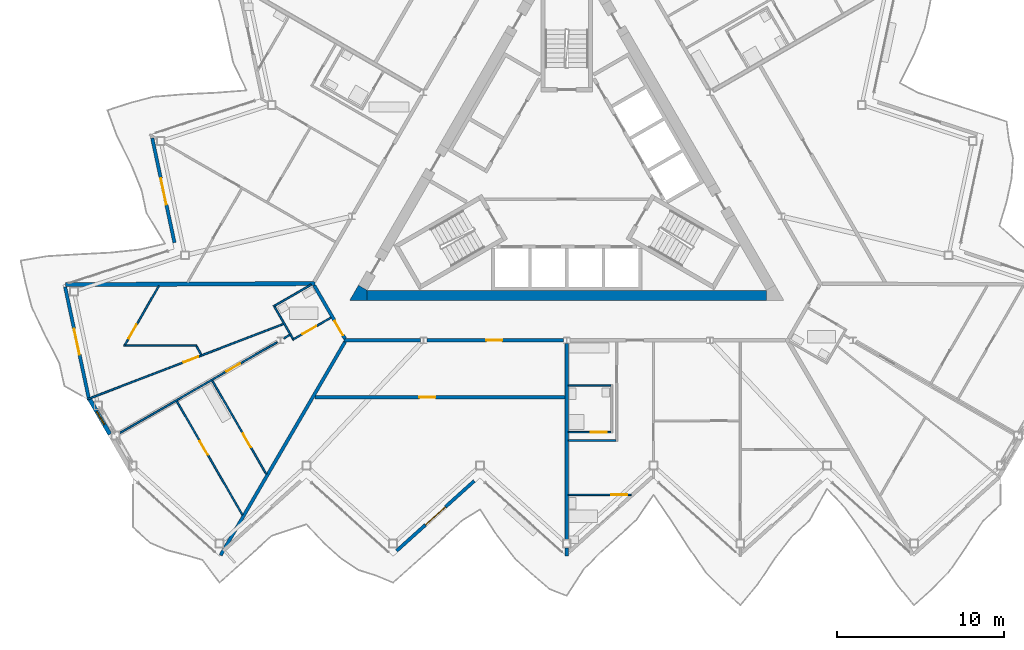
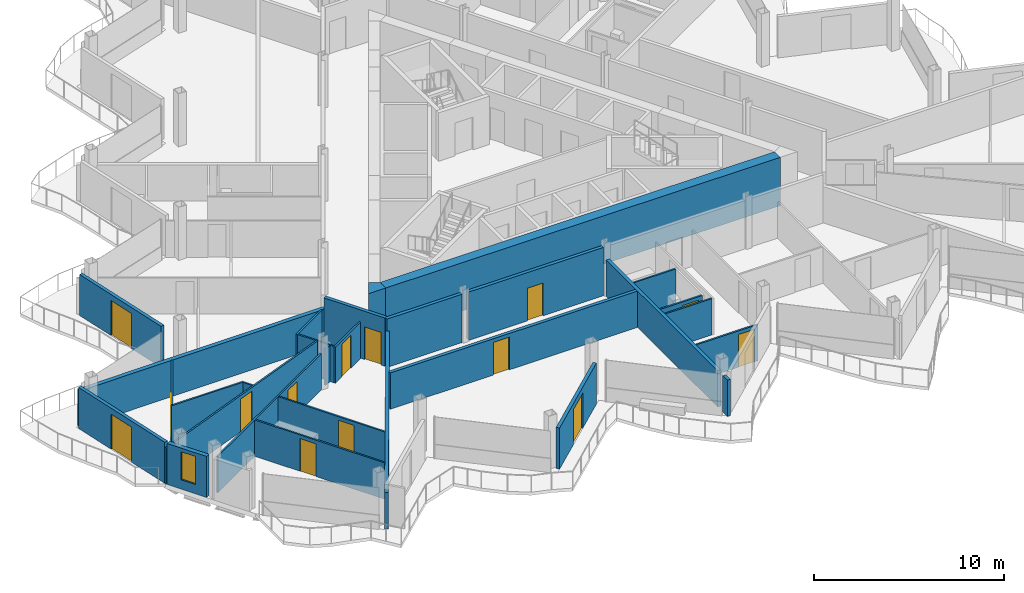
# One storey, part 12 of 26: 29 walls, 14 doors, 1 window, 15 openings.
"""IFC4 building model written with IfcOpenShell, lengths in metres."""

from ifc_helpers import new_model, si_unit, direction, frame, frame_2d, origin, place, context, subcontext, project, spatial, polyline, rectangle, outline, extrude, material, layer, layer_set, type_object, element, fill, save


model = new_model("IFC4")

# Units and contexts
model_context = context("Model", 3, precision=1e-05, world=origin(), true_north=direction((0.0, 1.0)))
body_context = subcontext(model_context, "Body", "Model", "MODEL_VIEW")
ifc_project = project(units=[si_unit("LENGTHUNIT", "METRE"), si_unit("AREAUNIT", "SQUARE_METRE"), si_unit("VOLUMEUNIT", "CUBIC_METRE"), si_unit("PLANEANGLEUNIT", "RADIAN"), si_unit("MASSUNIT", "GRAM", prefix="KILO")], contexts=[model_context])

# Site, building, storey
site_placement = place(None, origin())
site = spatial("IfcSite", under=ifc_project, at=site_placement, CompositionType="ELEMENT")
building_placement = place(site_placement, origin())
building = spatial("IfcBuilding", under=site, at=building_placement, Name="Cormorant Prow Tower", CompositionType="ELEMENT")
storey_placement = place(building_placement, frame((0.0, 0.0, 364.39990234375)))
storey = spatial("IfcBuildingStorey", under=building, at=storey_placement, Name="L81", CompositionType="ELEMENT", Elevation=364.39990234375)

# Walls
ifc_material_1 = material(Name="Concrete 8000 psi", Category="concrete")
ifc_layer_1 = layer(ifc_material_1, 0.60009765625)
ifc_layer_set_1 = layer_set([ifc_layer_1], Name="Concrete 8000 psi")
wall_type_1 = type_object("IfcWallType", Name="Core shear wall 600", PredefinedType="SHEAR", material=ifc_layer_set_1)
wall_1_placement = place(storey_placement, frame((-11.960693359375, -7.20556640625, 0.0), z_axis=(0.0, 0.0, 1.0), x_axis=(1.0, 0.0, 0.0)))
element("IfcWall", 1, at=wall_1_placement, inside=storey, type_object=wall_type_1, Name="Core wall", PredefinedType="SHEAR", context=body_context, shape_type="SweptSolid", body=[
    extrude(rectangle(XDim=23.92138671875, YDim=0.60009765625, at=frame_2d((11.960693359375, 0.0))), origin(), (0.0, 0.0, 1.0), 3.10009765625),
])
wall_2_placement = place(storey_placement, origin())
element("IfcWall", 2, at=wall_2_placement, inside=storey, type_object=wall_type_1, Name="Core wall corner", PredefinedType="SHEAR", context=body_context, shape_type="SweptSolid", body=[
    extrude(outline(polyline([(-12.48046875, -6.605712890625), (-11.960693359375, -6.905517578125), (-11.960693359375, -7.505615234375), (-13.0, -7.505615234375), (-12.48046875, -6.605712890625)])), origin(), (0.0, 0.0, 1.0), 3.10009765625),
])

# Wall, opening, door
ifc_material_2 = material(Name="Gypsum board corridor wall")
ifc_layer_2 = layer(ifc_material_2, 0.199951171875)
ifc_layer_set_2 = layer_set([ifc_layer_2], Name="Gypsum board corridor wall")
wall_type_2 = type_object("IfcWallType", Name="Corridor wall 200", PredefinedType="PARTITIONING", material=ifc_layer_set_2)
wall_3_placement = place(storey_placement, frame((-8.381591796875, -9.905517578125, 0.0), z_axis=(0.0, 0.0, 1.0), x_axis=(1.0, 0.0, 0.0)))
wall_3 = element("IfcWall", 3, at=wall_3_placement, inside=storey, type_object=wall_type_2, Name="Corridor wall", PredefinedType="PARTITIONING", context=body_context, shape_type="SweptSolid", body=[
    extrude(rectangle(XDim=8.1845703125, YDim=0.199951171875, at=frame_2d((4.09228515625, 0.0))), origin(), (0.0, 0.0, 1.0), 3.10009765625),
])
opening_1_placement = place(wall_3_placement, frame((3.56689453125, 0.0, 0.0)))
opening_1 = element("IfcOpeningElement", 4, at=opening_1_placement, cuts=wall_3, Name="Opening L81-F01", PredefinedType="OPENING", context=body_context, shape_type="SweptSolid", body=[
    extrude(rectangle(XDim=0.949951171875, YDim=2.10009765625, at=frame_2d((0.47509765625, 1.050048828125))), frame((0.0, 0.10986328125, 0.0), z_axis=(0.0, -1.0, 0.0), x_axis=(1.0, 0.0, 0.0)), (0.0, 0.0, 1.0), 0.219970703125),
])
ifc_material_3 = material(Name="Timber door leaf", Category="wood")
door_type_1 = type_object("IfcDoorType", Name="Store door 950x2100", OperationType="NOTDEFINED", PredefinedType="DOOR", material=ifc_material_3)
door_1_placement = place(opening_1_placement, origin())
door_1 = element("IfcDoor", 5, at=door_1_placement, inside=storey, type_object=door_type_1, Name="Refuse room door", OperationType="SINGLE_SWING_RIGHT", OverallHeight=2.10009765625, OverallWidth=0.949951171875, PredefinedType="DOOR", context=body_context, shape_type="SweptSolid", body=[
    extrude(rectangle(XDim=0.949951171875, YDim=2.10009765625, at=frame_2d((0.47509765625, 1.050048828125))), frame((0.0, 0.02490234375, 0.0), z_axis=(0.0, -1.0, 0.0), x_axis=(1.0, 0.0, 0.0)), (0.0, 0.0, 1.0), 0.050048828125),
])
fill(opening_1, door_1)

# Wall
wall_4_placement = place(storey_placement, frame((-13.330810546875, -9.905517578125, 0.0), z_axis=(0.0, 0.0, 1.0), x_axis=(1.0, 0.0, 0.0)))
element("IfcWall", 6, at=wall_4_placement, inside=storey, type_object=wall_type_2, Name="Corridor wall", PredefinedType="PARTITIONING", context=body_context, shape_type="SweptSolid", body=[
    extrude(rectangle(XDim=4.555419921875, YDim=0.199951171875, at=frame_2d((2.27783203125, 0.0))), origin(), (0.0, 0.0, 1.0), 3.10009765625),
])

# Wall, opening, door
wall_5_placement = place(storey_placement, frame((-15.13134765625, -6.61376953125, 0.0), z_axis=(0.0, 0.0, 1.0), x_axis=(0.499948957823, -0.866054870994, 0.0)))
wall_5 = element("IfcWall", 7, at=wall_5_placement, inside=storey, type_object=wall_type_2, Name="Corridor wall", PredefinedType="PARTITIONING", context=body_context, shape_type="SweptSolid", body=[
    extrude(rectangle(XDim=3.701171875, YDim=0.199951171875, at=frame_2d((1.8505859375, 0.0))), origin(), (0.0, 0.0, 1.0), 3.10009765625),
])
opening_2_placement = place(wall_5_placement, frame((2.450927734375, 0.0, 0.0)))
opening_2 = element("IfcOpeningElement", 8, at=opening_2_placement, cuts=wall_5, Name="Opening L81-F45", PredefinedType="OPENING", context=body_context, shape_type="SweptSolid", body=[
    extrude(rectangle(XDim=1.0, YDim=2.10009765625, at=frame_2d((0.5, 1.050048828125))), frame((0.0, 0.10986328125, 0.0), z_axis=(0.0, -1.0, 0.0), x_axis=(1.0, 0.0, 0.0)), (0.0, 0.0, 1.0), 0.219970703125),
])
ifc_material_4 = material(Name="Timber door leaf", Category="wood")
door_type_2 = type_object("IfcDoorType", Name="Flat or room entrance door 1000x2100", OperationType="NOTDEFINED", PredefinedType="DOOR", material=ifc_material_4)
door_2_placement = place(opening_2_placement, origin())
door_2 = element("IfcDoor", 9, at=door_2_placement, inside=storey, type_object=door_type_2, Name="Living room door", OperationType="SINGLE_SWING_RIGHT", OverallHeight=2.10009765625, OverallWidth=1.0, PredefinedType="DOOR", context=body_context, shape_type="SweptSolid", body=[
    extrude(rectangle(XDim=1.0, YDim=2.10009765625, at=frame_2d((0.5, 1.050048828125))), frame((0.0, 0.02490234375, 0.0), z_axis=(0.0, -1.0, 0.0), x_axis=(1.0, 0.0, 0.0)), (0.0, 0.0, 1.0), 0.050048828125),
])
fill(opening_2, door_2)

ifc_material_5 = material(Name="Gypsum board demising wall")
ifc_layer_3 = layer(ifc_material_5, 0.199951171875)
ifc_layer_set_3 = layer_set([ifc_layer_3], Name="Gypsum board demising wall")
wall_type_3 = type_object("IfcWallType", Name="Demising wall 200", PredefinedType="PARTITIONING", material=ifc_layer_set_3)
wall_6_placement = place(storey_placement, frame((-15.093994140625, -13.3056640625, 0.0), z_axis=(0.0, 0.0, 1.0), x_axis=(1.0, 0.0, 0.0)))
wall_6 = element("IfcWall", 10, at=wall_6_placement, inside=storey, type_object=wall_type_3, Name="Demising wall", PredefinedType="PARTITIONING", context=body_context, shape_type="SweptSolid", body=[
    extrude(rectangle(XDim=14.993896484375, YDim=0.199951171875, at=frame_2d((7.4970703125, 0.0))), origin(), (0.0, 0.0, 1.0), 2.330078125),
])
opening_3_placement = place(wall_6_placement, frame((6.26953125, 0.0, 0.0)))
opening_3 = element("IfcOpeningElement", 11, at=opening_3_placement, cuts=wall_6, Name="Opening L81-F02", PredefinedType="OPENING", context=body_context, shape_type="SweptSolid", body=[
    extrude(rectangle(XDim=0.949951171875, YDim=2.10009765625, at=frame_2d((0.47509765625, 1.050048828125))), frame((0.0, 0.10986328125, 0.0), z_axis=(0.0, -1.0, 0.0), x_axis=(1.0, 0.0, 0.0)), (0.0, 0.0, 1.0), 0.219970703125),
])
door_3_placement = place(opening_3_placement, origin())
door_3 = element("IfcDoor", 12, at=door_3_placement, inside=storey, type_object=door_type_1, Name="Bicycle store door", OperationType="SINGLE_SWING_RIGHT", OverallHeight=2.10009765625, OverallWidth=0.949951171875, PredefinedType="DOOR", context=body_context, shape_type="SweptSolid", body=[
    extrude(rectangle(XDim=0.949951171875, YDim=2.10009765625, at=frame_2d((0.47509765625, 1.050048828125))), frame((0.0, 0.02490234375, 0.0), z_axis=(0.0, -1.0, 0.0), x_axis=(1.0, 0.0, 0.0)), (0.0, 0.0, 1.0), 0.050048828125),
])
fill(opening_3, door_3)

# Walls
wall_7_placement = place(storey_placement, frame((-20.738525390625, -22.7841796875, 0.0), z_axis=(0.0, 0.0, 1.0), x_axis=(0.50362599185, 0.863921790635, 0.0)))
element("IfcWall", 13, at=wall_7_placement, inside=storey, type_object=wall_type_3, Name="Demising wall", PredefinedType="PARTITIONING", context=body_context, shape_type="SweptSolid", body=[
    extrude(rectangle(XDim=14.80712890625, YDim=0.199951171875, at=frame_2d((7.403564453125, 0.0))), origin(), (0.0, 0.0, 1.0), 2.330078125),
])
wall_8_placement = place(storey_placement, frame((0.0, -21.827880859375, 0.0), z_axis=(0.0, 0.0, 1.0), x_axis=(0.0, 1.0, 0.0)))
element("IfcWall", 14, at=wall_8_placement, inside=storey, type_object=wall_type_3, Name="Demising wall", PredefinedType="PARTITIONING", context=body_context, shape_type="SweptSolid", body=[
    extrude(rectangle(XDim=11.725341796875, YDim=0.199951171875, at=frame_2d((5.86279296875, 0.0))), origin(), (0.0, 0.0, 1.0), 2.330078125),
])
wall_9_placement = place(storey_placement, frame((0.0, -22.83935546875, 0.0), z_axis=(0.0, 0.0, 1.0), x_axis=(0.0, 1.0, 0.0)))
element("IfcWall", 15, at=wall_9_placement, inside=storey, type_object=wall_type_3, Name="Demising wall", PredefinedType="PARTITIONING", context=body_context, shape_type="SweptSolid", body=[
    extrude(rectangle(XDim=0.491455078125, YDim=0.199951171875, at=frame_2d((0.24560546875, 0.0))), origin(), (0.0, 0.0, 1.0), 2.330078125),
])

# Wall, opening, door
ifc_material_6 = material(Name="Gypsum board partition")
ifc_layer_4 = layer(ifc_material_6, 0.10009765625)
ifc_layer_set_4 = layer_set([ifc_layer_4], Name="Gypsum board partition")
wall_type_4 = type_object("IfcWallType", Name="Internal partition 100", PredefinedType="PARTITIONING", material=ifc_layer_set_4)
wall_10_placement = place(storey_placement, frame((-28.724609375, -13.43798828125, 0.0), z_axis=(0.0, 0.0, 1.0), x_axis=(0.933580312145, 0.358368247444, 0.0)))
wall_10 = element("IfcWall", 16, at=wall_10_placement, inside=storey, type_object=wall_type_4, Name="Internal partition", PredefinedType="PARTITIONING", context=body_context, shape_type="SweptSolid", body=[
    extrude(rectangle(XDim=12.589599609375, YDim=0.10009765625, at=frame_2d((6.294921875, 0.0))), origin(), (0.0, 0.0, 1.0), 2.330078125),
])
opening_4_placement = place(wall_10_placement, frame((6.171142578125, 0.0, 0.0)))
opening_4 = element("IfcOpeningElement", 17, at=opening_4_placement, cuts=wall_10, Name="Opening L81-F50", PredefinedType="OPENING", context=body_context, shape_type="SweptSolid", body=[
    extrude(rectangle(XDim=0.949951171875, YDim=2.10009765625, at=frame_2d((0.47509765625, 1.050048828125))), frame((0.0, 0.06005859375, 0.0), z_axis=(0.0, -1.0, 0.0), x_axis=(1.0, 0.0, 0.0)), (0.0, 0.0, 1.0), 0.1201171875),
])
ifc_material_7 = material(Name="Timber door leaf", Category="wood")
door_type_3 = type_object("IfcDoorType", Name="Bathroom door 950x2100", OperationType="NOTDEFINED", PredefinedType="DOOR", material=ifc_material_7)
door_4_placement = place(opening_4_placement, origin())
door_4 = element("IfcDoor", 18, at=door_4_placement, inside=storey, type_object=door_type_3, Name="Bedroom door", OperationType="SINGLE_SWING_RIGHT", OverallHeight=2.10009765625, OverallWidth=0.949951171875, PredefinedType="DOOR", context=body_context, shape_type="SweptSolid", body=[
    extrude(rectangle(XDim=0.949951171875, YDim=2.10009765625, at=frame_2d((0.47509765625, 1.050048828125))), frame((0.0, 0.02490234375, 0.0), z_axis=(0.0, -1.0, 0.0), x_axis=(1.0, 0.0, 0.0)), (0.0, 0.0, 1.0), 0.050048828125),
])
fill(opening_4, door_4)

wall_11_placement = place(storey_placement, frame((-26.77685546875, -15.459716796875, 0.0), z_axis=(0.0, 0.0, 1.0), x_axis=(0.866019680922, 0.500009912158, 0.0)))
wall_11 = element("IfcWall", 19, at=wall_11_placement, inside=storey, type_object=wall_type_4, Name="Internal partition", PredefinedType="PARTITIONING", context=body_context, shape_type="SweptSolid", body=[
    extrude(rectangle(XDim=10.880615234375, YDim=0.10009765625, at=frame_2d((5.4404296875, 0.0))), origin(), (0.0, 0.0, 1.0), 2.330078125),
])
opening_5_placement = place(wall_11_placement, frame((7.373291015625, 0.0, 0.0)))
opening_5 = element("IfcOpeningElement", 20, at=opening_5_placement, cuts=wall_11, Name="Opening L81-F49", PredefinedType="OPENING", context=body_context, shape_type="SweptSolid", body=[
    extrude(rectangle(XDim=0.949951171875, YDim=2.10009765625, at=frame_2d((0.47509765625, 1.050048828125))), frame((0.0, 0.06005859375, 0.0), z_axis=(0.0, -1.0, 0.0), x_axis=(1.0, 0.0, 0.0)), (0.0, 0.0, 1.0), 0.1201171875),
])
door_5_placement = place(opening_5_placement, origin())
door_5 = element("IfcDoor", 21, at=door_5_placement, inside=storey, type_object=door_type_3, Name="Living room door", OperationType="SINGLE_SWING_LEFT", OverallHeight=2.10009765625, OverallWidth=0.949951171875, PredefinedType="DOOR", context=body_context, shape_type="SweptSolid", body=[
    extrude(rectangle(XDim=0.949951171875, YDim=2.10009765625, at=frame_2d((0.47509765625, 1.050048828125))), frame((0.0, 0.02490234375, 0.0), z_axis=(0.0, -1.0, 0.0), x_axis=(1.0, 0.0, 0.0)), (0.0, 0.0, 1.0), 0.050048828125),
])
fill(opening_5, door_5)

wall_12_placement = place(storey_placement, frame((-23.365234375, -13.547607421875, 0.0), z_axis=(0.0, 0.0, 1.0), x_axis=(0.500011483804, -0.866018773506, 0.0)))
wall_12 = element("IfcWall", 22, at=wall_12_placement, inside=storey, type_object=wall_type_4, Name="Internal partition", PredefinedType="PARTITIONING", context=body_context, shape_type="SweptSolid", body=[
    extrude(rectangle(XDim=7.872314453125, YDim=0.10009765625, at=frame_2d((3.93603515625, 0.0))), origin(), (0.0, 0.0, 1.0), 2.330078125),
])
opening_6_placement = place(wall_12_placement, frame((2.7587890625, 0.0, 0.0)))
opening_6 = element("IfcOpeningElement", 23, at=opening_6_placement, cuts=wall_12, Name="Opening L81-F48", PredefinedType="OPENING", context=body_context, shape_type="SweptSolid", body=[
    extrude(rectangle(XDim=0.949951171875, YDim=2.10009765625, at=frame_2d((0.47509765625, 1.050048828125))), frame((0.0, 0.06005859375, 0.0), z_axis=(0.0, -1.0, 0.0), x_axis=(1.0, 0.0, 0.0)), (0.0, 0.0, 1.0), 0.1201171875),
])
door_6_placement = place(opening_6_placement, origin())
door_6 = element("IfcDoor", 24, at=door_6_placement, inside=storey, type_object=door_type_3, Name="Kitchen door", OperationType="SINGLE_SWING_LEFT", OverallHeight=2.10009765625, OverallWidth=0.949951171875, PredefinedType="DOOR", context=body_context, shape_type="SweptSolid", body=[
    extrude(rectangle(XDim=0.949951171875, YDim=2.10009765625, at=frame_2d((0.47509765625, 1.050048828125))), frame((0.0, 0.02490234375, 0.0), z_axis=(0.0, -1.0, 0.0), x_axis=(1.0, 0.0, 0.0)), (0.0, 0.0, 1.0), 0.050048828125),
])
fill(opening_6, door_6)

wall_13_placement = place(storey_placement, frame((-21.2353515625, -12.318115234375, 0.0), z_axis=(0.0, 0.0, 1.0), x_axis=(0.500008973052, -0.866020223129, 0.0)))
wall_13 = element("IfcWall", 25, at=wall_13_placement, inside=storey, type_object=wall_type_4, Name="Internal partition", PredefinedType="PARTITIONING", context=body_context, shape_type="SweptSolid", body=[
    extrude(rectangle(XDim=6.46630859375, YDim=0.10009765625, at=frame_2d((3.233154296875, 0.0))), origin(), (0.0, 0.0, 1.0), 2.330078125),
])
opening_7_placement = place(wall_13_placement, frame((3.6611328125, 0.0, 0.0)))
opening_7 = element("IfcOpeningElement", 26, at=opening_7_placement, cuts=wall_13, Name="Opening L81-F47", PredefinedType="OPENING", context=body_context, shape_type="SweptSolid", body=[
    extrude(rectangle(XDim=0.949951171875, YDim=2.10009765625, at=frame_2d((0.47509765625, 1.050048828125))), frame((0.0, 0.06005859375, 0.0), z_axis=(0.0, -1.0, 0.0), x_axis=(1.0, 0.0, 0.0)), (0.0, 0.0, 1.0), 0.1201171875),
])
door_7_placement = place(opening_7_placement, origin())
door_7 = element("IfcDoor", 27, at=door_7_placement, inside=storey, type_object=door_type_3, Name="Living room door", OperationType="SINGLE_SWING_RIGHT", OverallHeight=2.10009765625, OverallWidth=0.949951171875, PredefinedType="DOOR", context=body_context, shape_type="SweptSolid", body=[
    extrude(rectangle(XDim=0.949951171875, YDim=2.10009765625, at=frame_2d((0.47509765625, 1.050048828125))), frame((0.0, 0.02490234375, 0.0), z_axis=(0.0, -1.0, 0.0), x_axis=(1.0, 0.0, 0.0)), (0.0, 0.0, 1.0), 0.050048828125),
])
fill(opening_7, door_7)

# Wall
wall_14_placement = place(storey_placement, frame((-26.548583984375, -10.2216796875, 0.0), z_axis=(0.0, 0.0, 1.0), x_axis=(1.0, 0.0, 0.0)))
element("IfcWall", 28, at=wall_14_placement, inside=storey, type_object=wall_type_4, Name="Internal partition", PredefinedType="PARTITIONING", context=body_context, shape_type="SweptSolid", body=[
    extrude(rectangle(XDim=4.390869140625, YDim=0.10009765625, at=frame_2d((2.1953125, 0.0))), origin(), (0.0, 0.0, 1.0), 2.330078125),
])

# Wall, opening, door
wall_15_placement = place(storey_placement, frame((-26.4736328125, -10.17822265625, 0.0), z_axis=(0.0, 0.0, 1.0), x_axis=(0.499995835917, 0.866027807905, 0.0)))
wall_15 = element("IfcWall", 29, at=wall_15_placement, inside=storey, type_object=wall_type_4, Name="Internal partition", PredefinedType="PARTITIONING", context=body_context, shape_type="SweptSolid", body=[
    extrude(rectangle(XDim=4.0712890625, YDim=0.10009765625, at=frame_2d((2.03564453125, 0.0))), origin(), (0.0, 0.0, 1.0), 2.330078125),
])
opening_8_placement = place(wall_15_placement, frame((0.45166015625, 0.0, 0.0)))
opening_8 = element("IfcOpeningElement", 30, at=opening_8_placement, cuts=wall_15, Name="Opening L81-F51", PredefinedType="OPENING", context=body_context, shape_type="SweptSolid", body=[
    extrude(rectangle(XDim=0.949951171875, YDim=2.10009765625, at=frame_2d((0.47509765625, 1.050048828125))), frame((0.0, 0.06005859375, 0.0), z_axis=(0.0, -1.0, 0.0), x_axis=(1.0, 0.0, 0.0)), (0.0, 0.0, 1.0), 0.1201171875),
])
door_8_placement = place(opening_8_placement, origin())
door_8 = element("IfcDoor", 31, at=door_8_placement, inside=storey, type_object=door_type_3, Name="Bedroom door", OperationType="SINGLE_SWING_LEFT", OverallHeight=2.10009765625, OverallWidth=0.949951171875, PredefinedType="DOOR", context=body_context, shape_type="SweptSolid", body=[
    extrude(rectangle(XDim=0.949951171875, YDim=2.10009765625, at=frame_2d((0.47509765625, 1.050048828125))), frame((0.0, 0.02490234375, 0.0), z_axis=(0.0, -1.0, 0.0), x_axis=(1.0, 0.0, 0.0)), (0.0, 0.0, 1.0), 0.050048828125),
])
fill(opening_8, door_8)

wall_16_placement = place(storey_placement, frame((0.10009765625, -19.164306640625, 0.0), z_axis=(0.0, 0.0, 1.0), x_axis=(1.0, 0.0, 0.0)))
wall_16 = element("IfcWall", 32, at=wall_16_placement, inside=storey, type_object=wall_type_4, Name="Internal partition", PredefinedType="PARTITIONING", context=body_context, shape_type="SweptSolid", body=[
    extrude(rectangle(XDim=3.75146484375, YDim=0.10009765625, at=frame_2d((1.875732421875, 0.0))), origin(), (0.0, 0.0, 1.0), 2.330078125),
])
opening_9_placement = place(wall_16_placement, frame((2.5791015625, 0.0, 0.0)))
opening_9 = element("IfcOpeningElement", 33, at=opening_9_placement, cuts=wall_16, Name="Opening L81-F04", PredefinedType="OPENING", context=body_context, shape_type="SweptSolid", body=[
    extrude(rectangle(XDim=0.949951171875, YDim=2.10009765625, at=frame_2d((0.47509765625, 1.050048828125))), frame((0.0, 0.06005859375, 0.0), z_axis=(0.0, -1.0, 0.0), x_axis=(1.0, 0.0, 0.0)), (0.0, 0.0, 1.0), 0.1201171875),
])
door_9_placement = place(opening_9_placement, origin())
door_9 = element("IfcDoor", 34, at=door_9_placement, inside=storey, type_object=door_type_3, Name="Living room door", OperationType="SINGLE_SWING_RIGHT", OverallHeight=2.10009765625, OverallWidth=0.949951171875, PredefinedType="DOOR", context=body_context, shape_type="SweptSolid", body=[
    extrude(rectangle(XDim=0.949951171875, YDim=2.10009765625, at=frame_2d((0.47509765625, 1.050048828125))), frame((0.0, 0.02490234375, 0.0), z_axis=(0.0, -1.0, 0.0), x_axis=(1.0, 0.0, 0.0)), (0.0, 0.0, 1.0), 0.050048828125),
])
fill(opening_9, door_9)

# Walls
wall_17_placement = place(storey_placement, frame((0.10009765625, -15.905517578125, 0.0), z_axis=(0.0, 0.0, 1.0), x_axis=(1.0, 0.0, 0.0)))
element("IfcWall", 35, at=wall_17_placement, inside=storey, type_object=wall_type_4, Name="Internal partition", PredefinedType="PARTITIONING", context=body_context, shape_type="SweptSolid", body=[
    extrude(rectangle(XDim=2.849853515625, YDim=0.10009765625, at=frame_2d((1.4248046875, 0.0))), origin(), (0.0, 0.0, 1.0), 2.330078125),
])
wall_18_placement = place(storey_placement, frame((0.10009765625, -12.605712890625, 0.0), z_axis=(0.0, 0.0, 1.0), x_axis=(1.0, 0.0, 0.0)))
element("IfcWall", 36, at=wall_18_placement, inside=storey, type_object=wall_type_4, Name="Internal partition", PredefinedType="PARTITIONING", context=body_context, shape_type="SweptSolid", body=[
    extrude(rectangle(XDim=2.5498046875, YDim=0.10009765625, at=frame_2d((1.27490234375, 0.0))), origin(), (0.0, 0.0, 1.0), 2.330078125),
])

# Wall, opening, door
wall_19_placement = place(storey_placement, frame((0.10009765625, -15.405517578125, 0.0), z_axis=(0.0, 0.0, 1.0), x_axis=(1.0, 0.0, 0.0)))
wall_19 = element("IfcWall", 37, at=wall_19_placement, inside=storey, type_object=wall_type_4, Name="Internal partition", PredefinedType="PARTITIONING", context=body_context, shape_type="SweptSolid", body=[
    extrude(rectangle(XDim=2.5498046875, YDim=0.10009765625, at=frame_2d((1.27490234375, 0.0))), origin(), (0.0, 0.0, 1.0), 2.330078125),
])
opening_10_placement = place(wall_19_placement, frame((1.35009765625, 0.0, 0.0)))
opening_10 = element("IfcOpeningElement", 38, at=opening_10_placement, cuts=wall_19, Name="Opening L81-F10", PredefinedType="OPENING", context=body_context, shape_type="SweptSolid", body=[
    extrude(rectangle(XDim=0.949951171875, YDim=2.10009765625, at=frame_2d((0.47509765625, 1.050048828125))), frame((0.0, 0.06005859375, 0.0), z_axis=(0.0, -1.0, 0.0), x_axis=(1.0, 0.0, 0.0)), (0.0, 0.0, 1.0), 0.1201171875),
])
door_10_placement = place(opening_10_placement, origin())
door_10 = element("IfcDoor", 39, at=door_10_placement, inside=storey, type_object=door_type_3, Name="Kitchen door", OperationType="SINGLE_SWING_RIGHT", OverallHeight=2.10009765625, OverallWidth=0.949951171875, PredefinedType="DOOR", context=body_context, shape_type="SweptSolid", body=[
    extrude(rectangle(XDim=0.949951171875, YDim=2.10009765625, at=frame_2d((0.47509765625, 1.050048828125))), frame((0.0, 0.02490234375, 0.0), z_axis=(0.0, -1.0, 0.0), x_axis=(1.0, 0.0, 0.0)), (0.0, 0.0, 1.0), 0.050048828125),
])
fill(opening_10, door_10)

# Wall
wall_20_placement = place(storey_placement, frame((-17.575439453125, -7.880615234375, 0.0), z_axis=(0.0, 0.0, 1.0), x_axis=(0.866013657776, 0.500020344131, 0.0)))
element("IfcWall", 40, at=wall_20_placement, inside=storey, type_object=wall_type_4, Name="Internal partition", PredefinedType="PARTITIONING", context=body_context, shape_type="SweptSolid", body=[
    extrude(rectangle(XDim=2.625, YDim=0.10009765625, at=frame_2d((1.3125, 0.0))), origin(), (0.0, 0.0, 1.0), 2.330078125),
])

# Wall, opening, door
wall_21_placement = place(storey_placement, frame((-16.425537109375, -9.872314453125, 0.0), z_axis=(0.0, 0.0, 1.0), x_axis=(0.866029095148, 0.499993606316, 0.0)))
wall_21 = element("IfcWall", 41, at=wall_21_placement, inside=storey, type_object=wall_type_4, Name="Internal partition", PredefinedType="PARTITIONING", context=body_context, shape_type="SweptSolid", body=[
    extrude(rectangle(XDim=2.64990234375, YDim=0.10009765625, at=frame_2d((1.324951171875, 0.0))), origin(), (0.0, 0.0, 1.0), 2.330078125),
])
opening_11_placement = place(wall_21_placement, frame((0.686279296875, 0.0, 0.0)))
opening_11 = element("IfcOpeningElement", 42, at=opening_11_placement, cuts=wall_21, Name="Opening L81-F46", PredefinedType="OPENING", context=body_context, shape_type="SweptSolid", body=[
    extrude(rectangle(XDim=0.949951171875, YDim=2.10009765625, at=frame_2d((0.47509765625, 1.050048828125))), frame((0.0, 0.06005859375, 0.0), z_axis=(0.0, -1.0, 0.0), x_axis=(1.0, 0.0, 0.0)), (0.0, 0.0, 1.0), 0.1201171875),
])
door_11_placement = place(opening_11_placement, origin())
door_11 = element("IfcDoor", 43, at=door_11_placement, inside=storey, type_object=door_type_3, Name="Living room door", OperationType="SINGLE_SWING_LEFT", OverallHeight=2.10009765625, OverallWidth=0.949951171875, PredefinedType="DOOR", context=body_context, shape_type="SweptSolid", body=[
    extrude(rectangle(XDim=0.949951171875, YDim=2.10009765625, at=frame_2d((0.47509765625, 1.050048828125))), frame((0.0, 0.02490234375, 0.0), z_axis=(0.0, -1.0, 0.0), x_axis=(1.0, 0.0, 0.0)), (0.0, 0.0, 1.0), 0.050048828125),
])
fill(opening_11, door_11)

# Walls
wall_22_placement = place(storey_placement, frame((-17.507080078125, -7.89892578125, 0.0), z_axis=(0.0, 0.0, 1.0), x_axis=(0.499946605688, -0.86605622881, 0.0)))
element("IfcWall", 44, at=wall_22_placement, inside=storey, type_object=wall_type_4, Name="Internal partition", PredefinedType="PARTITIONING", context=body_context, shape_type="SweptSolid", body=[
    extrude(rectangle(XDim=2.199951171875, YDim=0.10009765625, at=frame_2d((1.10009765625, 0.0))), origin(), (0.0, 0.0, 1.0), 2.330078125),
])
wall_23_placement = place(storey_placement, frame((-22.182861328125, -10.264892578125, 0.0), z_axis=(0.0, 0.0, 1.0), x_axis=(0.500016142392, -0.86601608377, 0.0)))
element("IfcWall", 45, at=wall_23_placement, inside=storey, type_object=wall_type_4, Name="Internal partition", PredefinedType="PARTITIONING", context=body_context, shape_type="SweptSolid", body=[
    extrude(rectangle(XDim=0.57568359375, YDim=0.10009765625, at=frame_2d((0.287841796875, 0.0))), origin(), (0.0, 0.0, 1.0), 2.330078125),
])
wall_24_placement = place(storey_placement, frame((-16.9599609375, -9.791748046875, 0.0), z_axis=(0.0, 0.0, 1.0), x_axis=(0.866137484628, 0.499805820016, 0.0)))
element("IfcWall", 46, at=wall_24_placement, inside=storey, type_object=wall_type_4, Name="Internal partition", PredefinedType="PARTITIONING", context=body_context, shape_type="SweptSolid", body=[
    extrude(rectangle(XDim=0.422607421875, YDim=0.10009765625, at=frame_2d((0.21142578125, 0.0))), origin(), (0.0, 0.0, 1.0), 2.330078125),
])
ifc_material_8 = material(Name="Acoustic gypsum party wall")
ifc_layer_5 = layer(ifc_material_8, 0.25)
ifc_layer_set_5 = layer_set([ifc_layer_5], Name="Acoustic gypsum party wall")
wall_type_5 = type_object("IfcWallType", Name="Suite party wall 250", PredefinedType="PARTITIONING", material=ifc_layer_set_5)
wall_25_placement = place(storey_placement, frame((-30.041259765625, -6.56787109375, 0.0), z_axis=(0.0, 0.0, 1.0), x_axis=(0.999991150877, 0.004206918925, 0.0)))
element("IfcWall", 47, at=wall_25_placement, inside=storey, type_object=wall_type_5, Name="Suite party wall", PredefinedType="PARTITIONING", context=body_context, shape_type="SweptSolid", body=[
    extrude(rectangle(XDim=14.97265625, YDim=0.25, at=frame_2d((7.486328125, 0.0))), origin(), (0.0, 0.0, 1.0), 2.330078125),
])

# Wall, opening, window
ifc_material_9 = material(Name="Terracotta", Category="masonry")
ifc_layer_6 = layer(ifc_material_9, 0.25)
ifc_layer_set_6 = layer_set([ifc_layer_6], Name="Terracotta")
wall_type_6 = type_object("IfcWallType", Name="Terracotta bay wall 250", PredefinedType="SOLIDWALL", material=ifc_layer_set_6)
wall_26_placement = place(storey_placement, frame((-28.5732421875, -13.4501953125, 0.0), z_axis=(0.0, 0.0, 1.0), x_axis=(0.499969057507, -0.866043267704, 0.0)))
wall_26 = element("IfcWall", 48, at=wall_26_placement, inside=storey, type_object=wall_type_6, Name="Terracotta bay wall WSW00", PredefinedType="SOLIDWALL", context=body_context, shape_type="SweptSolid", body=[
    extrude(rectangle(XDim=2.399658203125, YDim=0.25, at=frame_2d((1.19970703125, 0.0))), origin(), (0.0, 0.0, 1.0), 2.634033203125),
])
opening_12_placement = place(wall_26_placement, frame((0.829833984375, 0.0, 0.60009765625)))
opening_12 = element("IfcOpeningElement", 49, at=opening_12_placement, cuts=wall_26, Name="Opening WN9", PredefinedType="OPENING", context=body_context, shape_type="SweptSolid", body=[
    extrude(rectangle(XDim=0.89990234375, YDim=1.800048828125, at=frame_2d((0.449951171875, 0.89990234375))), frame((0.0, 0.135009765625, 0.0), z_axis=(0.0, -1.0, 0.0), x_axis=(1.0, 0.0, 0.0)), (0.0, 0.0, 1.0), 0.27001953125),
])
ifc_material_10 = material(Name="Aluminium 6063-T6", Category="aluminium")
window_type = type_object("IfcWindowType", Name="Corner bay window 900x1800", PartitioningType="SINGLE_PANEL", PredefinedType="WINDOW", material=ifc_material_10)
window_placement = place(opening_12_placement, origin())
window = element("IfcWindow", 50, at=window_placement, inside=storey, type_object=window_type, Name="Corner bay window WSW00", OverallHeight=1.800048828125, OverallWidth=0.89990234375, PartitioningType="SINGLE_PANEL", PredefinedType="WINDOW", context=body_context, shape_type="SweptSolid", body=[
    extrude(rectangle(XDim=0.89990234375, YDim=1.800048828125, at=frame_2d((0.449951171875, 0.89990234375))), frame((0.0, 0.030029296875, 0.0), z_axis=(0.0, -1.0, 0.0), x_axis=(1.0, 0.0, 0.0)), (0.0, 0.0, 1.0), 0.06005859375),
])
fill(opening_12, window)

# Wall, opening, door
ifc_material_11 = material(Name="Terracotta", Category="masonry")
ifc_layer_7 = layer(ifc_material_11, 0.199951171875)
ifc_layer_set_7 = layer_set([ifc_layer_7], Name="Terracotta")
wall_type_7 = type_object("IfcWallType", Name="Terracotta jamb wall 200", PredefinedType="SOLIDWALL", material=ifc_layer_set_7)
wall_27_placement = place(storey_placement, frame((-10.19482421875, -22.520263671875, 0.0), z_axis=(0.0, 0.0, 1.0), x_axis=(0.743137181878, 0.669139095339, 0.0)))
wall_27 = element("IfcWall", 51, at=wall_27_placement, inside=storey, type_object=wall_type_7, Name="Terracotta jamb wall S03", PredefinedType="SOLIDWALL", context=body_context, shape_type="SweptSolid", body=[
    extrude(rectangle(XDim=6.265380859375, YDim=0.199951171875, at=frame_2d((3.1328125, 0.0))), origin(), (0.0, 0.0, 1.0), 2.634033203125),
])
opening_13_placement = place(wall_27_placement, frame((2.332763671875, 0.0, 0.0)))
opening_13 = element("IfcOpeningElement", 52, at=opening_13_placement, cuts=wall_27, Name="Opening ED81.02", PredefinedType="OPENING", context=body_context, shape_type="SweptSolid", body=[
    extrude(rectangle(XDim=1.60009765625, YDim=2.25, at=frame_2d((0.800048828125, 1.125))), frame((0.0, 0.10986328125, 0.0), z_axis=(0.0, -1.0, 0.0), x_axis=(1.0, 0.0, 0.0)), (0.0, 0.0, 1.0), 0.219970703125),
])
ifc_material_12 = material(Name="Aluminium 6063-T6", Category="aluminium")
door_type_4 = type_object("IfcDoorType", Name="Balcony door 1600x2250", OperationType="DOUBLE_DOOR_SINGLE_SWING", PredefinedType="DOOR", material=ifc_material_12)
door_12_placement = place(opening_13_placement, origin())
door_12 = element("IfcDoor", 53, at=door_12_placement, inside=storey, type_object=door_type_4, Name="Balcony door S03 ED81.02", OperationType="DOUBLE_DOOR_SINGLE_SWING", OverallHeight=2.25, OverallWidth=1.60009765625, PredefinedType="DOOR", context=body_context, shape_type="SweptSolid", body=[
    extrude(rectangle(XDim=1.60009765625, YDim=2.25, at=frame_2d((0.800048828125, 1.125))), frame((0.0, 0.02490234375, 0.0), z_axis=(0.0, -1.0, 0.0), x_axis=(1.0, 0.0, 0.0)), (0.0, 0.0, 1.0), 0.050048828125),
])
fill(opening_13, door_12)

wall_28_placement = place(storey_placement, frame((-24.833984375, 2.20947265625, 0.0), z_axis=(0.0, 0.0, 1.0), x_axis=(0.20791668045, -0.978146540142, 0.0)))
wall_28 = element("IfcWall", 54, at=wall_28_placement, inside=storey, type_object=wall_type_7, Name="Terracotta jamb wall WNW07", PredefinedType="SOLIDWALL", context=body_context, shape_type="SweptSolid", body=[
    extrude(rectangle(XDim=6.40185546875, YDim=0.199951171875, at=frame_2d((3.200927734375, 0.0))), origin(), (0.0, 0.0, 1.0), 2.634033203125),
])
opening_14_placement = place(wall_28_placement, frame((2.46923828125, 0.0, 0.0)))
opening_14 = element("IfcOpeningElement", 55, at=opening_14_placement, cuts=wall_28, Name="Opening ED81.14", PredefinedType="OPENING", context=body_context, shape_type="SweptSolid", body=[
    extrude(rectangle(XDim=1.60009765625, YDim=2.25, at=frame_2d((0.800048828125, 1.125))), frame((0.0, 0.10986328125, 0.0), z_axis=(0.0, -1.0, 0.0), x_axis=(1.0, 0.0, 0.0)), (0.0, 0.0, 1.0), 0.219970703125),
])
door_13_placement = place(opening_14_placement, origin())
door_13 = element("IfcDoor", 56, at=door_13_placement, inside=storey, type_object=door_type_4, Name="Balcony door WNW07 ED81.14", OperationType="DOUBLE_DOOR_SINGLE_SWING", OverallHeight=2.25, OverallWidth=1.60009765625, PredefinedType="DOOR", context=body_context, shape_type="SweptSolid", body=[
    extrude(rectangle(XDim=1.60009765625, YDim=2.25, at=frame_2d((0.800048828125, 1.125))), frame((0.0, 0.02490234375, 0.0), z_axis=(0.0, -1.0, 0.0), x_axis=(1.0, 0.0, 0.0)), (0.0, 0.0, 1.0), 0.050048828125),
])
fill(opening_14, door_13)

wall_29_placement = place(storey_placement, frame((-30.052734375, -6.709228515625, 0.0), z_axis=(0.0, 0.0, 1.0), x_axis=(0.207917767315, -0.978146309115, 0.0)))
wall_29 = element("IfcWall", 57, at=wall_29_placement, inside=storey, type_object=wall_type_7, Name="Terracotta jamb wall WNW09", PredefinedType="SOLIDWALL", context=body_context, shape_type="SweptSolid", body=[
    extrude(rectangle(XDim=6.77880859375, YDim=0.199951171875, at=frame_2d((3.389404296875, 0.0))), origin(), (0.0, 0.0, 1.0), 2.634033203125),
])
opening_15_placement = place(wall_29_placement, frame((2.559326171875, 0.0, 0.0)))
opening_15 = element("IfcOpeningElement", 58, at=opening_15_placement, cuts=wall_29, Name="Opening ED81.15", PredefinedType="OPENING", context=body_context, shape_type="SweptSolid", body=[
    extrude(rectangle(XDim=1.60009765625, YDim=2.25, at=frame_2d((0.800048828125, 1.125))), frame((0.0, 0.10986328125, 0.0), z_axis=(0.0, -1.0, 0.0), x_axis=(1.0, 0.0, 0.0)), (0.0, 0.0, 1.0), 0.219970703125),
])
door_14_placement = place(opening_15_placement, origin())
door_14 = element("IfcDoor", 59, at=door_14_placement, inside=storey, type_object=door_type_4, Name="Balcony door WNW09 ED81.15", OperationType="DOUBLE_DOOR_SINGLE_SWING", OverallHeight=2.25, OverallWidth=1.60009765625, PredefinedType="DOOR", context=body_context, shape_type="SweptSolid", body=[
    extrude(rectangle(XDim=1.60009765625, YDim=2.25, at=frame_2d((0.800048828125, 1.125))), frame((0.0, 0.02490234375, 0.0), z_axis=(0.0, -1.0, 0.0), x_axis=(1.0, 0.0, 0.0)), (0.0, 0.0, 1.0), 0.050048828125),
])
fill(opening_15, door_14)

save(model, "model.ifc")
